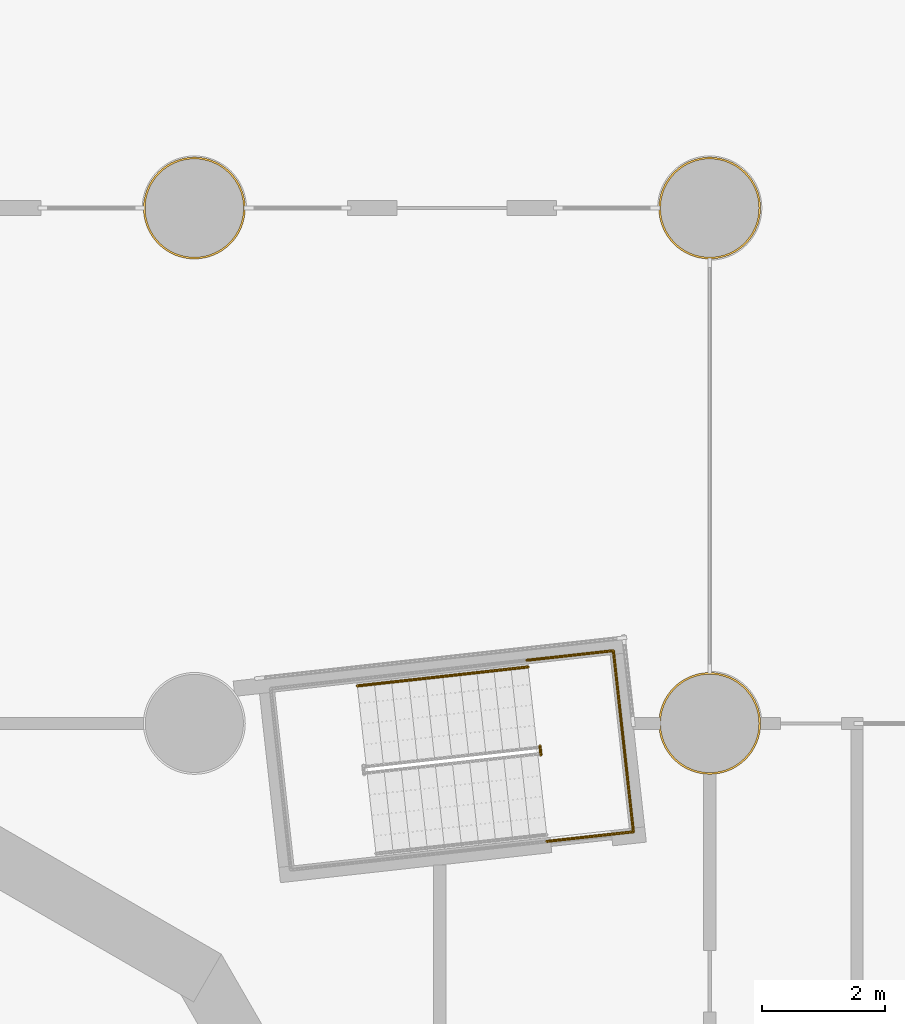
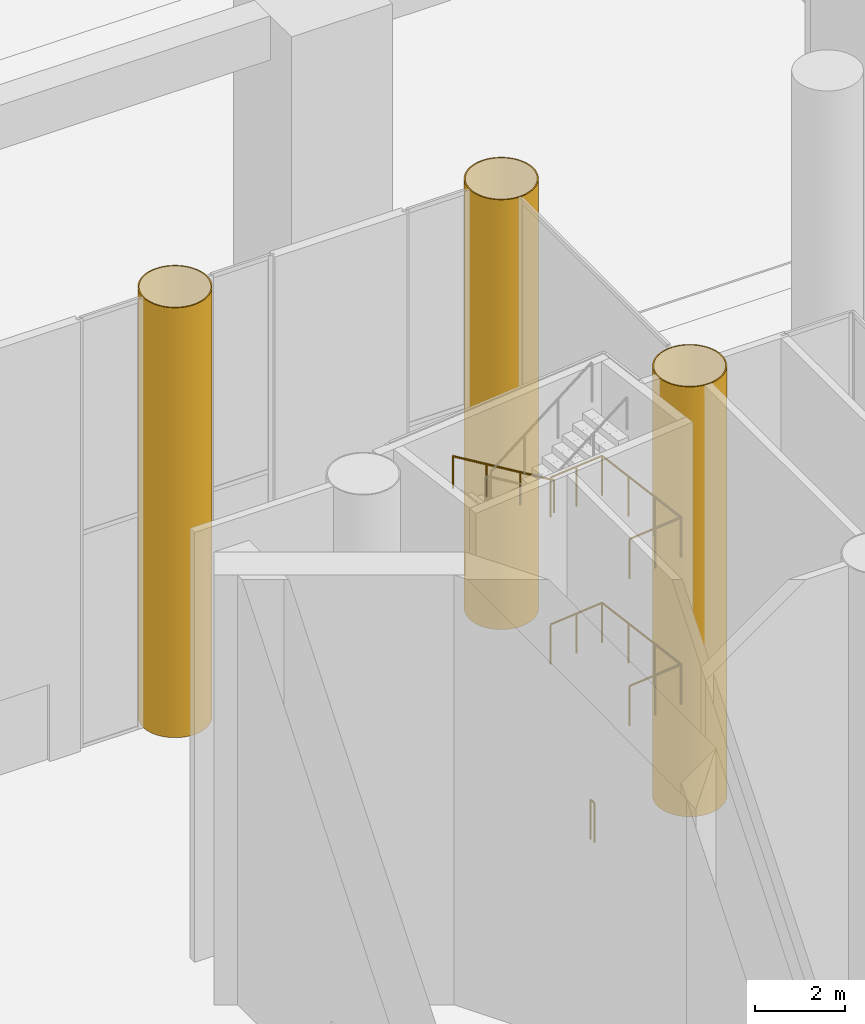
# One storey, part 44 of 52: 4 railings, 3 coverings.
"""IFC4 building model written with IfcOpenShell, lengths in metres."""

from ifc_helpers import new_model, si_unit, direction, frame, origin, origin_2d, place, context, subcontext, project, spatial, polyline, circle, outline, extrude, material, layer, layer_set, type_object, element, save


model = new_model("IFC4")

# Units and contexts
model_context = context("Model", 3, precision=1e-05, world=origin(), true_north=direction((0.0, 1.0)))
body_context = subcontext(model_context, "Body", "Model", "MODEL_VIEW")
ifc_project = project(units=[si_unit("LENGTHUNIT", "METRE"), si_unit("AREAUNIT", "SQUARE_METRE"), si_unit("VOLUMEUNIT", "CUBIC_METRE"), si_unit("PLANEANGLEUNIT", "RADIAN"), si_unit("MASSUNIT", "GRAM", prefix="KILO")], contexts=[model_context])

# Site, building, storey
site_placement = place(None, origin())
site = spatial("IfcSite", under=ifc_project, at=site_placement, CompositionType="ELEMENT")
building_placement = place(site_placement, origin())
building = spatial("IfcBuilding", under=site, at=building_placement, Name="Cantera Rosa Tower", CompositionType="ELEMENT")
storey_placement = place(building_placement, origin())
storey = spatial("IfcBuildingStorey", under=building, at=storey_placement, Name="L00", CompositionType="ELEMENT", Elevation=0.0)

# Coverings
ifc_material_1 = material(Name="Plaster")
ifc_layer = layer(ifc_material_1, 0.030029296875)
ifc_layer_set = layer_set([ifc_layer], Name="Column casing 30")
covering_type = type_object("IfcCoveringType", Name="Column casing 30", PredefinedType="CLADDING", material=ifc_layer_set)
covering_1_placement = place(storey_placement, origin())
element("IfcCovering", 1, at=covering_1_placement, inside=storey, type_object=covering_type, Name="Column casing L00-016", PredefinedType="CLADDING", context=body_context, shape_type="SweptSolid", body=[
    extrude(outline(polyline([(9.22607421875, 20.918701171875), (9.22998046875, 21.0), (9.22607421875, 21.081298828125), (9.214111328125, 21.161865234375), (9.1943359375, 21.240966796875), (9.166748046875, 21.317626953125), (9.132080078125, 21.391357421875), (9.090087890625, 21.461181640625), (9.04150390625, 21.526611328125), (8.98681640625, 21.5869140625), (8.926513671875, 21.6416015625), (8.861083984375, 21.690185546875), (8.791259765625, 21.73193359375), (8.717529296875, 21.766845703125), (8.640869140625, 21.794189453125), (8.56201171875, 21.814208984375), (8.4814453125, 21.825927734375), (8.39990234375, 21.830078125), (8.318603515625, 21.825927734375), (8.238037109375, 21.814208984375), (8.1591796875, 21.794189453125), (8.08251953125, 21.766845703125), (8.0087890625, 21.73193359375), (7.93896484375, 21.690185546875), (7.87353515625, 21.6416015625), (7.81298828125, 21.5869140625), (7.75830078125, 21.526611328125), (7.7099609375, 21.461181640625), (7.66796875, 21.391357421875), (7.63330078125, 21.317626953125), (7.605712890625, 21.240966796875), (7.5859375, 21.161865234375), (7.573974609375, 21.081298828125), (7.570068359375, 21.0), (7.573974609375, 20.918701171875), (7.5859375, 20.838134765625), (7.605712890625, 20.759033203125), (7.63330078125, 20.682373046875), (7.66796875, 20.608642578125), (7.7099609375, 20.538818359375), (7.75830078125, 20.473388671875), (7.81298828125, 20.4130859375), (7.87353515625, 20.3583984375), (7.93896484375, 20.309814453125), (8.0087890625, 20.26806640625), (8.08251953125, 20.233154296875), (8.1591796875, 20.205810546875), (8.238037109375, 20.185791015625), (8.318603515625, 20.174072265625), (8.39990234375, 20.169921875), (8.4814453125, 20.174072265625), (8.56201171875, 20.185791015625), (8.640869140625, 20.205810546875), (8.717529296875, 20.233154296875), (8.791259765625, 20.26806640625), (8.861083984375, 20.309814453125), (8.926513671875, 20.3583984375), (8.98681640625, 20.4130859375), (9.04150390625, 20.473388671875), (9.090087890625, 20.538818359375), (9.132080078125, 20.608642578125), (9.166748046875, 20.682373046875), (9.1943359375, 20.759033203125), (9.214111328125, 20.838134765625), (9.22607421875, 20.918701171875)]), holes=[polyline([(9.196044921875, 21.078369140625), (9.1845703125, 21.156005859375), (9.16552734375, 21.232177734375), (9.13916015625, 21.30615234375), (9.10546875, 21.377197265625), (9.065185546875, 21.444580078125), (9.018310546875, 21.507568359375), (8.9658203125, 21.565673828125), (8.907470703125, 21.618408203125), (8.844482421875, 21.665283203125), (8.777099609375, 21.70556640625), (8.7060546875, 21.739013671875), (8.632080078125, 21.765625), (8.55615234375, 21.78466796875), (8.478515625, 21.796142578125), (8.39990234375, 21.800048828125), (8.321533203125, 21.796142578125), (8.243896484375, 21.78466796875), (8.167724609375, 21.765625), (8.093994140625, 21.739013671875), (8.02294921875, 21.70556640625), (7.95556640625, 21.665283203125), (7.892578125, 21.618408203125), (7.834228515625, 21.565673828125), (7.781494140625, 21.507568359375), (7.73486328125, 21.444580078125), (7.694580078125, 21.377197265625), (7.660888671875, 21.30615234375), (7.634521484375, 21.232177734375), (7.615478515625, 21.156005859375), (7.60400390625, 21.078369140625), (7.60009765625, 21.0), (7.60400390625, 20.921630859375), (7.615478515625, 20.843994140625), (7.634521484375, 20.767822265625), (7.660888671875, 20.69384765625), (7.694580078125, 20.622802734375), (7.73486328125, 20.555419921875), (7.781494140625, 20.492431640625), (7.834228515625, 20.434326171875), (7.892578125, 20.381591796875), (7.95556640625, 20.334716796875), (8.02294921875, 20.29443359375), (8.093994140625, 20.260986328125), (8.167724609375, 20.234375), (8.243896484375, 20.21533203125), (8.321533203125, 20.203857421875), (8.39990234375, 20.199951171875), (8.478515625, 20.203857421875), (8.55615234375, 20.21533203125), (8.632080078125, 20.234375), (8.7060546875, 20.260986328125), (8.777099609375, 20.29443359375), (8.844482421875, 20.334716796875), (8.907470703125, 20.381591796875), (8.9658203125, 20.434326171875), (9.018310546875, 20.492431640625), (9.065185546875, 20.555419921875), (9.10546875, 20.622802734375), (9.13916015625, 20.69384765625), (9.16552734375, 20.767822265625), (9.1845703125, 20.843994140625), (9.196044921875, 20.921630859375), (9.199951171875, 21.0), (9.196044921875, 21.078369140625)])]), origin(), (0.0, 0.0, 1.0), 11.699951171875),
])
covering_2_placement = place(storey_placement, origin())
element("IfcCovering", 2, at=covering_2_placement, inside=storey, type_object=covering_type, Name="Column casing L00-021", PredefinedType="CLADDING", context=body_context, shape_type="SweptSolid", body=[
    extrude(outline(polyline([(17.6259765625, 12.5185546875), (17.6298828125, 12.60009765625), (17.6259765625, 12.681396484375), (17.614013671875, 12.761962890625), (17.59423828125, 12.8408203125), (17.56689453125, 12.91748046875), (17.531982421875, 12.9912109375), (17.489990234375, 13.06103515625), (17.441650390625, 13.12646484375), (17.386962890625, 13.18701171875), (17.326416015625, 13.24169921875), (17.260986328125, 13.2900390625), (17.19140625, 13.33203125), (17.11767578125, 13.36669921875), (17.041015625, 13.394287109375), (16.9619140625, 13.4140625), (16.88134765625, 13.426025390625), (16.800048828125, 13.429931640625), (16.718505859375, 13.426025390625), (16.63818359375, 13.4140625), (16.55908203125, 13.394287109375), (16.482421875, 13.36669921875), (16.40869140625, 13.33203125), (16.3388671875, 13.2900390625), (16.2734375, 13.24169921875), (16.213134765625, 13.18701171875), (16.158447265625, 13.12646484375), (16.10986328125, 13.06103515625), (16.068115234375, 12.9912109375), (16.033203125, 12.91748046875), (16.005615234375, 12.8408203125), (15.98583984375, 12.761962890625), (15.97412109375, 12.681396484375), (15.969970703125, 12.60009765625), (15.97412109375, 12.5185546875), (15.98583984375, 12.43798828125), (16.005615234375, 12.359130859375), (16.033203125, 12.282470703125), (16.068115234375, 12.208740234375), (16.10986328125, 12.138916015625), (16.158447265625, 12.073486328125), (16.213134765625, 12.01318359375), (16.2734375, 11.95849609375), (16.3388671875, 11.909912109375), (16.40869140625, 11.867919921875), (16.482421875, 11.833251953125), (16.55908203125, 11.8056640625), (16.63818359375, 11.785888671875), (16.718505859375, 11.77392578125), (16.800048828125, 11.77001953125), (16.88134765625, 11.77392578125), (16.9619140625, 11.785888671875), (17.041015625, 11.8056640625), (17.11767578125, 11.833251953125), (17.19140625, 11.867919921875), (17.260986328125, 11.909912109375), (17.326416015625, 11.95849609375), (17.386962890625, 12.01318359375), (17.441650390625, 12.073486328125), (17.489990234375, 12.138916015625), (17.531982421875, 12.208740234375), (17.56689453125, 12.282470703125), (17.59423828125, 12.359130859375), (17.614013671875, 12.43798828125), (17.6259765625, 12.5185546875)]), holes=[polyline([(17.59619140625, 12.678466796875), (17.584716796875, 12.756103515625), (17.565673828125, 12.832275390625), (17.5390625, 12.906005859375), (17.505615234375, 12.97705078125), (17.465087890625, 13.04443359375), (17.41845703125, 13.107421875), (17.36572265625, 13.165771484375), (17.3076171875, 13.218505859375), (17.244384765625, 13.26513671875), (17.177001953125, 13.305419921875), (17.106201171875, 13.339111328125), (17.0322265625, 13.365478515625), (16.9560546875, 13.384521484375), (16.87841796875, 13.39599609375), (16.800048828125, 13.39990234375), (16.7216796875, 13.39599609375), (16.643798828125, 13.384521484375), (16.56787109375, 13.365478515625), (16.493896484375, 13.339111328125), (16.4228515625, 13.305419921875), (16.35546875, 13.26513671875), (16.29248046875, 13.218505859375), (16.234375, 13.165771484375), (16.181640625, 13.107421875), (16.134765625, 13.04443359375), (16.094482421875, 12.97705078125), (16.060791015625, 12.906005859375), (16.034423828125, 12.832275390625), (16.015380859375, 12.756103515625), (16.00390625, 12.678466796875), (16.0, 12.60009765625), (16.00390625, 12.521484375), (16.015380859375, 12.44384765625), (16.034423828125, 12.367919921875), (16.060791015625, 12.2939453125), (16.094482421875, 12.222900390625), (16.134765625, 12.155517578125), (16.181640625, 12.092529296875), (16.234375, 12.0341796875), (16.29248046875, 11.981689453125), (16.35546875, 11.934814453125), (16.4228515625, 11.89453125), (16.493896484375, 11.86083984375), (16.56787109375, 11.83447265625), (16.643798828125, 11.8154296875), (16.7216796875, 11.803955078125), (16.800048828125, 11.800048828125), (16.87841796875, 11.803955078125), (16.9560546875, 11.8154296875), (17.0322265625, 11.83447265625), (17.106201171875, 11.86083984375), (17.177001953125, 11.89453125), (17.244384765625, 11.934814453125), (17.3076171875, 11.981689453125), (17.36572265625, 12.0341796875), (17.41845703125, 12.092529296875), (17.465087890625, 12.155517578125), (17.505615234375, 12.222900390625), (17.5390625, 12.2939453125), (17.565673828125, 12.367919921875), (17.584716796875, 12.44384765625), (17.59619140625, 12.521484375), (17.60009765625, 12.60009765625), (17.59619140625, 12.678466796875)])]), origin(), (0.0, 0.0, 1.0), 11.699951171875),
])
covering_3_placement = place(storey_placement, origin())
element("IfcCovering", 3, at=covering_3_placement, inside=storey, type_object=covering_type, Name="Column casing L00-022", PredefinedType="CLADDING", context=body_context, shape_type="SweptSolid", body=[
    extrude(outline(polyline([(17.6259765625, 20.918701171875), (17.6298828125, 21.0), (17.6259765625, 21.081298828125), (17.614013671875, 21.161865234375), (17.59423828125, 21.240966796875), (17.56689453125, 21.317626953125), (17.531982421875, 21.391357421875), (17.489990234375, 21.461181640625), (17.441650390625, 21.526611328125), (17.386962890625, 21.5869140625), (17.326416015625, 21.6416015625), (17.260986328125, 21.690185546875), (17.19140625, 21.73193359375), (17.11767578125, 21.766845703125), (17.041015625, 21.794189453125), (16.9619140625, 21.814208984375), (16.88134765625, 21.825927734375), (16.800048828125, 21.830078125), (16.718505859375, 21.825927734375), (16.63818359375, 21.814208984375), (16.55908203125, 21.794189453125), (16.482421875, 21.766845703125), (16.40869140625, 21.73193359375), (16.3388671875, 21.690185546875), (16.2734375, 21.6416015625), (16.213134765625, 21.5869140625), (16.158447265625, 21.526611328125), (16.10986328125, 21.461181640625), (16.068115234375, 21.391357421875), (16.033203125, 21.317626953125), (16.005615234375, 21.240966796875), (15.98583984375, 21.161865234375), (15.97412109375, 21.081298828125), (15.969970703125, 21.0), (15.97412109375, 20.918701171875), (15.98583984375, 20.838134765625), (16.005615234375, 20.759033203125), (16.033203125, 20.682373046875), (16.068115234375, 20.608642578125), (16.10986328125, 20.538818359375), (16.158447265625, 20.473388671875), (16.213134765625, 20.4130859375), (16.2734375, 20.3583984375), (16.3388671875, 20.309814453125), (16.40869140625, 20.26806640625), (16.482421875, 20.233154296875), (16.55908203125, 20.205810546875), (16.63818359375, 20.185791015625), (16.718505859375, 20.174072265625), (16.800048828125, 20.169921875), (16.88134765625, 20.174072265625), (16.9619140625, 20.185791015625), (17.041015625, 20.205810546875), (17.11767578125, 20.233154296875), (17.19140625, 20.26806640625), (17.260986328125, 20.309814453125), (17.326416015625, 20.3583984375), (17.386962890625, 20.4130859375), (17.441650390625, 20.473388671875), (17.489990234375, 20.538818359375), (17.531982421875, 20.608642578125), (17.56689453125, 20.682373046875), (17.59423828125, 20.759033203125), (17.614013671875, 20.838134765625), (17.6259765625, 20.918701171875)]), holes=[polyline([(17.59619140625, 21.078369140625), (17.584716796875, 21.156005859375), (17.565673828125, 21.232177734375), (17.5390625, 21.30615234375), (17.505615234375, 21.377197265625), (17.465087890625, 21.444580078125), (17.41845703125, 21.507568359375), (17.36572265625, 21.565673828125), (17.3076171875, 21.618408203125), (17.244384765625, 21.665283203125), (17.177001953125, 21.70556640625), (17.106201171875, 21.739013671875), (17.0322265625, 21.765625), (16.9560546875, 21.78466796875), (16.87841796875, 21.796142578125), (16.800048828125, 21.800048828125), (16.7216796875, 21.796142578125), (16.643798828125, 21.78466796875), (16.56787109375, 21.765625), (16.493896484375, 21.739013671875), (16.4228515625, 21.70556640625), (16.35546875, 21.665283203125), (16.29248046875, 21.618408203125), (16.234375, 21.565673828125), (16.181640625, 21.507568359375), (16.134765625, 21.444580078125), (16.094482421875, 21.377197265625), (16.060791015625, 21.30615234375), (16.034423828125, 21.232177734375), (16.015380859375, 21.156005859375), (16.00390625, 21.078369140625), (16.0, 21.0), (16.00390625, 20.921630859375), (16.015380859375, 20.843994140625), (16.034423828125, 20.767822265625), (16.060791015625, 20.69384765625), (16.094482421875, 20.622802734375), (16.134765625, 20.555419921875), (16.181640625, 20.492431640625), (16.234375, 20.434326171875), (16.29248046875, 20.381591796875), (16.35546875, 20.334716796875), (16.4228515625, 20.29443359375), (16.493896484375, 20.260986328125), (16.56787109375, 20.234375), (16.643798828125, 20.21533203125), (16.7216796875, 20.203857421875), (16.800048828125, 20.199951171875), (16.87841796875, 20.203857421875), (16.9560546875, 20.21533203125), (17.0322265625, 20.234375), (17.106201171875, 20.260986328125), (17.177001953125, 20.29443359375), (17.244384765625, 20.334716796875), (17.3076171875, 20.381591796875), (17.36572265625, 20.434326171875), (17.41845703125, 20.492431640625), (17.465087890625, 20.555419921875), (17.505615234375, 20.622802734375), (17.5390625, 20.69384765625), (17.565673828125, 20.767822265625), (17.584716796875, 20.843994140625), (17.59619140625, 20.921630859375), (17.60009765625, 21.0), (17.59619140625, 21.078369140625)])]), origin(), (0.0, 0.0, 1.0), 11.699951171875),
])

# Railings
ifc_material_2 = material(Name="Steel S355J2 (EN 10025-2)", Category="steel")
railing_type_1 = type_object("IfcRailingType", Name="STAIR GUARD 1100", PredefinedType="GUARDRAIL", material=ifc_material_2)
railing_1_placement = place(storey_placement, frame((14.032958984375, 12.234375, 0.0)))
element("IfcRailing", 4, at=railing_1_placement, inside=storey, type_object=railing_type_1, Name="L00 ST-11 stair guard 7", PredefinedType="GUARDRAIL", context=body_context, shape_type="SweptSolid", body=[
    extrude(circle(Radius=0.02392578125, at=origin_2d()), frame((0.0, 0.0, 1.076171875), z_axis=(0.109179471459, -0.994022053584, 0.0), x_axis=(0.994022053584, 0.109179471459, 0.0)), (0.0, 0.0, 1.0), 0.14990234375),
    extrude(circle(Radius=0.02099609375, at=origin_2d()), origin(), (0.0, 0.0, 1.0), 1.052001953125),
    extrude(circle(Radius=0.02099609375, at=origin_2d()), frame((0.016357421875, -0.14892578125, 0.0)), (0.0, 0.0, 1.0), 1.052001953125),
])
for number, where, name in (
    (5, (13.815673828125, 13.629150390625, 4.0), "L00 ST-11 stair guard 10"),
    (6, (13.815673828125, 13.629150390625, 8.0), "L00 ST-11 stair guard 12"),
):
    element("IfcRailing", number, at=place(storey_placement, frame(where)), inside=storey, type_object=railing_type_1, Name=name, PredefinedType="GUARDRAIL", context=body_context, shape_type="SweptSolid", body=[
        extrude(circle(Radius=0.02392578125, at=origin_2d()), frame((0.0, 0.0, 1.076171875), z_axis=(0.993906744489, 0.110224240795, 0.0), x_axis=(-0.110224240795, 0.993906744489, 0.0)), (0.0, 0.0, 1.0), 1.421875),
        extrude(circle(Radius=0.02392578125, at=origin_2d()), frame((1.413330078125, 0.15673828125, 1.076171875), z_axis=(0.110314237986, -0.993896759678, 0.0), x_axis=(0.993896759678, 0.110314237986, 0.0)), (0.0, 0.0, 1.0), 2.969970703125),
        extrude(circle(Radius=0.02392578125, at=origin_2d()), frame((1.740966796875, -2.795166015625, 1.076171875), z_axis=(-0.993906744489, -0.110224240795, 0.0), x_axis=(0.110224240795, -0.993906744489, 0.0)), (0.0, 0.0, 1.0), 1.421875),
        extrude(circle(Radius=0.02099609375, at=origin_2d()), origin(), (0.0, 0.0, 1.0), 1.052001953125),
        extrude(circle(Radius=0.02099609375, at=origin_2d()), frame((0.70654296875, 0.078369140625, 0.0)), (0.0, 0.0, 1.0), 1.052001953125),
        extrude(circle(Radius=0.02099609375, at=origin_2d()), frame((1.413330078125, 0.15673828125, 0.0)), (0.0, 0.0, 1.0), 1.052001953125),
        extrude(circle(Radius=0.02099609375, at=origin_2d()), frame((1.5224609375, -0.8271484375, 0.0)), (0.0, 0.0, 1.0), 1.052001953125),
        extrude(circle(Radius=0.02099609375, at=origin_2d()), frame((1.6318359375, -1.811279296875, 0.0)), (0.0, 0.0, 1.0), 1.052001953125),
        extrude(circle(Radius=0.02099609375, at=origin_2d()), frame((1.740966796875, -2.795166015625, 0.0)), (0.0, 0.0, 1.0), 1.052001953125),
        extrude(circle(Radius=0.02099609375, at=origin_2d()), frame((1.0341796875, -2.87353515625, 0.0)), (0.0, 0.0, 1.0), 1.052001953125),
        extrude(circle(Radius=0.02099609375, at=origin_2d()), frame((0.32763671875, -2.951904296875, 0.0)), (0.0, 0.0, 1.0), 1.052001953125),
    ])
ifc_material_3 = material(Name="Steel S355J2 (EN 10025-2)", Category="steel")
railing_type_2 = type_object("IfcRailingType", Name="STAIR HANDRAIL 900", PredefinedType="HANDRAIL", material=ifc_material_3)
railing_2_placement = place(storey_placement, frame((13.83984375, 13.52099609375, 8.181884765625)))
element("IfcRailing", 7, at=railing_2_placement, inside=storey, type_object=railing_type_2, Name="L00 ST-11 stair handrail 5", PredefinedType="HANDRAIL", context=body_context, shape_type="SweptSolid", body=[
    extrude(circle(Radius=0.02392578125, at=origin_2d()), frame((0.0, 0.0, 0.8759765625), z_axis=(-0.833588056777, -0.09250714026, 0.544585512661), x_axis=(0.110297547524, -0.993898612038, 0.0)), (0.0, 0.0, 1.0), 3.338623046875),
    extrude(circle(Radius=0.02099609375, at=origin_2d()), origin(), (0.0, 0.0, 1.0), 0.851806640625),
    extrude(circle(Radius=0.02099609375, at=origin_2d()), frame((-0.927734375, -0.10302734375, 0.60595703125)), (0.0, 0.0, 1.0), 0.851806640625),
    extrude(circle(Radius=0.02099609375, at=origin_2d()), frame((-1.855224609375, -0.205810546875, 1.212158203125)), (0.0, 0.0, 1.0), 0.851806640625),
    extrude(circle(Radius=0.02099609375, at=origin_2d()), frame((-2.782958984375, -0.308837890625, 1.818115234375)), (0.0, 0.0, 1.0), 0.851806640625),
])

save(model, "model.ifc")
